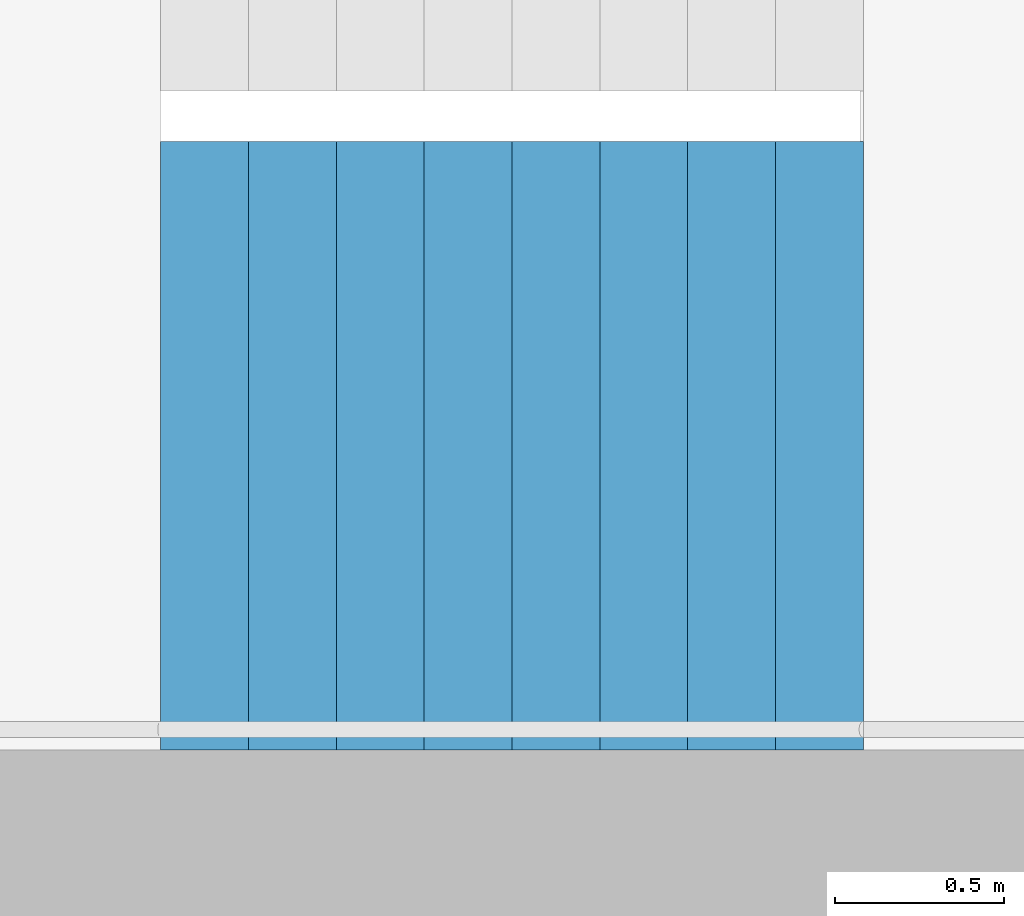
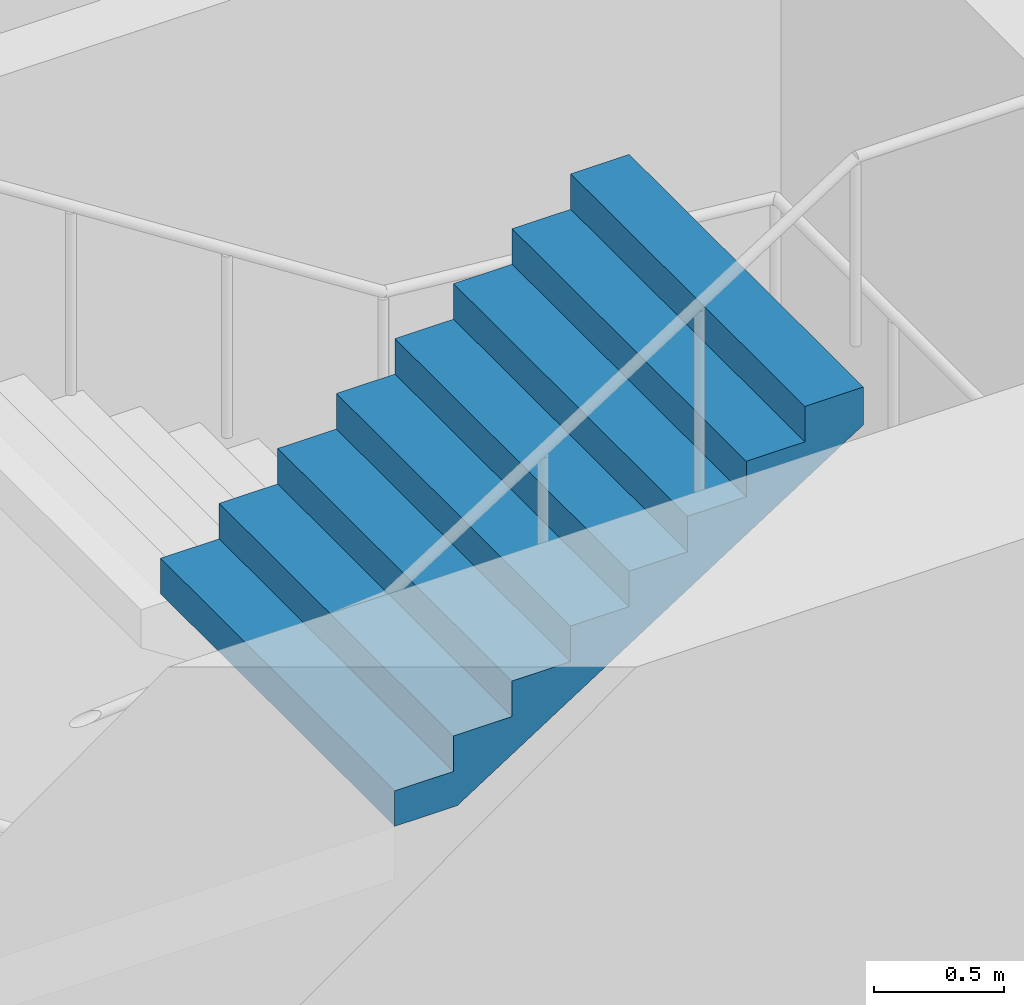
# One storey, part 51 of 100: 1 stair flight, 1 element without a shape of its own.
"""IFC4 building model written with IfcOpenShell, lengths in metres."""

from ifc_helpers import new_model, si_unit, direction, frame, origin, place, context, subcontext, project, spatial, triangles, material, type_object, element, aggregate, save


model = new_model("IFC4")

# Units and contexts
model_context = context("Model", 3, precision=1e-05, world=origin(), true_north=direction((0.0, 1.0)))
body_context = subcontext(model_context, "Body", "Model", "MODEL_VIEW")
ifc_project = project(units=[si_unit("LENGTHUNIT", "METRE"), si_unit("AREAUNIT", "SQUARE_METRE"), si_unit("VOLUMEUNIT", "CUBIC_METRE"), si_unit("PLANEANGLEUNIT", "RADIAN"), si_unit("MASSUNIT", "GRAM", prefix="KILO")], contexts=[model_context])

# Site, building, storey
site_placement = place(None, origin())
site = spatial("IfcSite", under=ifc_project, at=site_placement, CompositionType="ELEMENT")
building_placement = place(site_placement, origin())
building = spatial("IfcBuilding", under=site, at=building_placement, Name="Hakoniwa Tower and Hamabe Station Hall", CompositionType="ELEMENT")
storey_placement = place(building_placement, frame((0.0, 0.0, 9.0)))
storey = spatial("IfcBuildingStorey", under=building, at=storey_placement, Name="L02", CompositionType="ELEMENT", Elevation=9.0)

# Stair, stair flight
ifc_material_1 = material(Name="Concrete C40", Category="concrete")
stair_type = type_object("IfcStairType", Name="ESCAPE STAIR 1800", PredefinedType="HALF_TURN_STAIR", material=ifc_material_1)
stair_placement = place(storey_placement, origin())
stair = element("IfcStair", 1, at=stair_placement, inside=storey, type_object=stair_type, Name="Escape stair ST-2 L02", PredefinedType="HALF_TURN_STAIR")
ifc_material_2 = material(Name="Concrete C40", Category="concrete")
stair_flight_type = type_object("IfcStairFlightType", Name="STAIR FLIGHT 1800", PredefinedType="STRAIGHT", material=ifc_material_2)
stair_flight_placement = place(storey_placement, frame((-25.47998046875, -6.60009765625, 4.5), z_axis=(0.0, 0.0, 1.0), x_axis=(1.0, 0.0, 0.0)))
stair_flight = element("IfcStairFlight", 2, at=stair_flight_placement, type_object=stair_flight_type, Name="ST-2 flight 4", NumberOfRisers=9, NumberOfTreads=8, PredefinedType="STRAIGHT", RiserHeight=0.166666667, TreadLength=0.26, context=body_context, shape_type="Tessellation", body=[
    triangles([(0.0, 0.89990234375, 0.0), (0.260009765625, 0.89990234375, 0.0), (0.27783203125, 0.89990234375, 0.0), (0.52001953125, 0.89990234375, 0.1552734375), (0.780029296875, 0.89990234375, 0.322021484375), (1.0400390625, 0.89990234375, 0.488525390625), (1.300048828125, 0.89990234375, 0.6552734375), (1.56005859375, 0.89990234375, 0.822021484375), (1.820068359375, 0.89990234375, 0.988525390625), (2.080078125, 0.89990234375, 1.1552734375), (2.080078125, 0.89990234375, 1.333251953125), (1.820068359375, 0.89990234375, 1.333251953125), (1.820068359375, 0.89990234375, 1.166748046875), (1.56005859375, 0.89990234375, 1.166748046875), (1.56005859375, 0.89990234375, 1.0), (1.300048828125, 0.89990234375, 1.0), (1.300048828125, 0.89990234375, 0.833251953125), (1.0400390625, 0.89990234375, 0.833251953125), (1.0400390625, 0.89990234375, 0.666748046875), (0.780029296875, 0.89990234375, 0.666748046875), (0.780029296875, 0.89990234375, 0.5), (0.52001953125, 0.89990234375, 0.5), (0.52001953125, 0.89990234375, 0.333251953125), (0.27783203125, 0.89990234375, 0.333251953125), (0.260009765625, 0.89990234375, 0.333251953125), (0.260009765625, 0.89990234375, 0.166748046875), (0.0, 0.89990234375, 0.166748046875), (0.0, 0.06005859375, 0.0), (0.260009765625, 0.06005859375, 0.0), (0.27783203125, 0.06005859375, 0.0), (0.52001953125, 0.06005859375, 0.1552734375), (0.780029296875, 0.06005859375, 0.322021484375), (1.0400390625, 0.06005859375, 0.488525390625), (1.300048828125, 0.06005859375, 0.6552734375), (1.56005859375, 0.06005859375, 0.822021484375), (1.820068359375, 0.06005859375, 0.988525390625), (2.080078125, 0.06005859375, 1.1552734375), (2.080078125, 0.06005859375, 1.333251953125), (1.820068359375, 0.06005859375, 1.333251953125), (1.820068359375, 0.06005859375, 1.166748046875), (1.56005859375, 0.06005859375, 1.166748046875), (1.56005859375, 0.06005859375, 1.0), (1.300048828125, 0.06005859375, 1.0), (1.300048828125, 0.06005859375, 0.833251953125), (1.0400390625, 0.06005859375, 0.833251953125), (1.0400390625, 0.06005859375, 0.666748046875), (0.780029296875, 0.06005859375, 0.666748046875), (0.780029296875, 0.06005859375, 0.5), (0.52001953125, 0.06005859375, 0.5), (0.52001953125, 0.06005859375, 0.333251953125), (0.27783203125, 0.06005859375, 0.333251953125), (0.260009765625, 0.06005859375, 0.333251953125), (0.260009765625, 0.06005859375, 0.166748046875), (0.0, 0.06005859375, 0.166748046875), (0.0, 0.04296875, 0.0), (0.260009765625, 0.04296875, 0.0), (0.27783203125, 0.04296875, 0.0), (0.52001953125, 0.04296875, 0.1552734375), (0.780029296875, 0.04296875, 0.322021484375), (1.0400390625, 0.04296875, 0.488525390625), (1.300048828125, 0.04296875, 0.6552734375), (1.56005859375, 0.04296875, 0.822021484375), (1.820068359375, 0.04296875, 0.988525390625), (2.080078125, 0.04296875, 1.1552734375), (2.080078125, 0.04296875, 1.333251953125), (1.820068359375, 0.04296875, 1.333251953125), (1.820068359375, 0.04296875, 1.166748046875), (1.56005859375, 0.04296875, 1.166748046875), (1.56005859375, 0.04296875, 1.0), (1.300048828125, 0.04296875, 1.0), (1.300048828125, 0.04296875, 0.833251953125), (1.0400390625, 0.04296875, 0.833251953125), (1.0400390625, 0.04296875, 0.666748046875), (0.780029296875, 0.04296875, 0.666748046875), (0.780029296875, 0.04296875, 0.5), (0.52001953125, 0.04296875, 0.5), (0.52001953125, 0.04296875, 0.333251953125), (0.27783203125, 0.04296875, 0.333251953125), (0.260009765625, 0.04296875, 0.333251953125), (0.260009765625, 0.04296875, 0.166748046875), (0.0, 0.04296875, 0.166748046875), (0.0, 0.025634765625, 0.0), (0.260009765625, 0.025634765625, 0.0), (0.27783203125, 0.025634765625, 0.0), (0.52001953125, 0.025634765625, 0.1552734375), (0.780029296875, 0.025634765625, 0.322021484375), (1.0400390625, 0.025634765625, 0.488525390625), (1.300048828125, 0.025634765625, 0.6552734375), (1.56005859375, 0.025634765625, 0.822021484375), (1.820068359375, 0.025634765625, 0.988525390625), (2.080078125, 0.025634765625, 1.1552734375), (2.080078125, 0.025634765625, 1.333251953125), (1.820068359375, 0.025634765625, 1.333251953125), (1.820068359375, 0.025634765625, 1.166748046875), (1.56005859375, 0.025634765625, 1.166748046875), (1.56005859375, 0.025634765625, 1.0), (1.300048828125, 0.025634765625, 1.0), (1.300048828125, 0.025634765625, 0.833251953125), (1.0400390625, 0.025634765625, 0.833251953125), (1.0400390625, 0.025634765625, 0.666748046875), (0.780029296875, 0.025634765625, 0.666748046875), (0.780029296875, 0.025634765625, 0.5), (0.52001953125, 0.025634765625, 0.5), (0.52001953125, 0.025634765625, 0.333251953125), (0.27783203125, 0.025634765625, 0.333251953125), (0.260009765625, 0.025634765625, 0.333251953125), (0.260009765625, 0.025634765625, 0.166748046875), (0.0, 0.025634765625, 0.166748046875), (0.0, 0.008544921875, 0.0), (0.260009765625, 0.008544921875, 0.0), (0.27783203125, 0.008544921875, 0.0), (0.52001953125, 0.008544921875, 0.1552734375), (0.780029296875, 0.008544921875, 0.322021484375), (1.0400390625, 0.008544921875, 0.488525390625), (1.300048828125, 0.008544921875, 0.6552734375), (1.56005859375, 0.008544921875, 0.822021484375), (1.820068359375, 0.008544921875, 0.988525390625), (2.080078125, 0.008544921875, 1.1552734375), (2.080078125, 0.008544921875, 1.333251953125), (1.820068359375, 0.008544921875, 1.333251953125), (1.820068359375, 0.008544921875, 1.166748046875), (1.56005859375, 0.008544921875, 1.166748046875), (1.56005859375, 0.008544921875, 1.0), (1.300048828125, 0.008544921875, 1.0), (1.300048828125, 0.008544921875, 0.833251953125), (1.0400390625, 0.008544921875, 0.833251953125), (1.0400390625, 0.008544921875, 0.666748046875), (0.780029296875, 0.008544921875, 0.666748046875), (0.780029296875, 0.008544921875, 0.5), (0.52001953125, 0.008544921875, 0.5), (0.52001953125, 0.008544921875, 0.333251953125), (0.27783203125, 0.008544921875, 0.333251953125), (0.260009765625, 0.008544921875, 0.333251953125), (0.260009765625, 0.008544921875, 0.166748046875), (0.0, 0.008544921875, 0.166748046875), (0.0, -0.008544921875, 0.0), (0.260009765625, -0.008544921875, 0.0), (0.27783203125, -0.008544921875, 0.0), (0.52001953125, -0.008544921875, 0.1552734375), (0.780029296875, -0.008544921875, 0.322021484375), (1.0400390625, -0.008544921875, 0.488525390625), (1.300048828125, -0.008544921875, 0.6552734375), (1.56005859375, -0.008544921875, 0.822021484375), (1.820068359375, -0.008544921875, 0.988525390625), (2.080078125, -0.008544921875, 1.1552734375), (2.080078125, -0.008544921875, 1.333251953125), (1.820068359375, -0.008544921875, 1.333251953125), (1.820068359375, -0.008544921875, 1.166748046875), (1.56005859375, -0.008544921875, 1.166748046875), (1.56005859375, -0.008544921875, 1.0), (1.300048828125, -0.008544921875, 1.0), (1.300048828125, -0.008544921875, 0.833251953125), (1.0400390625, -0.008544921875, 0.833251953125), (1.0400390625, -0.008544921875, 0.666748046875), (0.780029296875, -0.008544921875, 0.666748046875), (0.780029296875, -0.008544921875, 0.5), (0.52001953125, -0.008544921875, 0.5), (0.52001953125, -0.008544921875, 0.333251953125), (0.27783203125, -0.008544921875, 0.333251953125), (0.260009765625, -0.008544921875, 0.333251953125), (0.260009765625, -0.008544921875, 0.166748046875), (0.0, -0.008544921875, 0.166748046875), (0.0, -0.025634765625, 0.0), (0.260009765625, -0.025634765625, 0.0), (0.27783203125, -0.025634765625, 0.0), (0.52001953125, -0.025634765625, 0.1552734375), (0.780029296875, -0.025634765625, 0.322021484375), (1.0400390625, -0.025634765625, 0.488525390625), (1.300048828125, -0.025634765625, 0.6552734375), (1.56005859375, -0.025634765625, 0.822021484375), (1.820068359375, -0.025634765625, 0.988525390625), (2.080078125, -0.025634765625, 1.1552734375), (2.080078125, -0.025634765625, 1.333251953125), (1.820068359375, -0.025634765625, 1.333251953125), (1.820068359375, -0.025634765625, 1.166748046875), (1.56005859375, -0.025634765625, 1.166748046875), (1.56005859375, -0.025634765625, 1.0), (1.300048828125, -0.025634765625, 1.0), (1.300048828125, -0.025634765625, 0.833251953125), (1.0400390625, -0.025634765625, 0.833251953125), (1.0400390625, -0.025634765625, 0.666748046875), (0.780029296875, -0.025634765625, 0.666748046875), (0.780029296875, -0.025634765625, 0.5), (0.52001953125, -0.025634765625, 0.5), (0.52001953125, -0.025634765625, 0.333251953125), (0.27783203125, -0.025634765625, 0.333251953125), (0.260009765625, -0.025634765625, 0.333251953125), (0.260009765625, -0.025634765625, 0.166748046875), (0.0, -0.025634765625, 0.166748046875), (0.0, -0.04296875, 0.0), (0.260009765625, -0.04296875, 0.0), (0.27783203125, -0.04296875, 0.0), (0.52001953125, -0.04296875, 0.1552734375), (0.780029296875, -0.04296875, 0.322021484375), (1.0400390625, -0.04296875, 0.488525390625), (1.300048828125, -0.04296875, 0.6552734375), (1.56005859375, -0.04296875, 0.822021484375), (1.820068359375, -0.04296875, 0.988525390625), (2.080078125, -0.04296875, 1.1552734375), (2.080078125, -0.04296875, 1.333251953125), (1.820068359375, -0.04296875, 1.333251953125), (1.820068359375, -0.04296875, 1.166748046875), (1.56005859375, -0.04296875, 1.166748046875), (1.56005859375, -0.04296875, 1.0), (1.300048828125, -0.04296875, 1.0), (1.300048828125, -0.04296875, 0.833251953125), (1.0400390625, -0.04296875, 0.833251953125), (1.0400390625, -0.04296875, 0.666748046875), (0.780029296875, -0.04296875, 0.666748046875), (0.780029296875, -0.04296875, 0.5), (0.52001953125, -0.04296875, 0.5), (0.52001953125, -0.04296875, 0.333251953125), (0.27783203125, -0.04296875, 0.333251953125), (0.260009765625, -0.04296875, 0.333251953125), (0.260009765625, -0.04296875, 0.166748046875), (0.0, -0.04296875, 0.166748046875), (0.0, -0.06005859375, 0.0), (0.260009765625, -0.06005859375, 0.0), (0.27783203125, -0.06005859375, 0.0), (0.52001953125, -0.06005859375, 0.1552734375), (0.780029296875, -0.06005859375, 0.322021484375), (1.0400390625, -0.06005859375, 0.488525390625), (1.300048828125, -0.06005859375, 0.6552734375), (1.56005859375, -0.06005859375, 0.822021484375), (1.820068359375, -0.06005859375, 0.988525390625), (2.080078125, -0.06005859375, 1.1552734375), (2.080078125, -0.06005859375, 1.333251953125), (1.820068359375, -0.06005859375, 1.333251953125), (1.820068359375, -0.06005859375, 1.166748046875), (1.56005859375, -0.06005859375, 1.166748046875), (1.56005859375, -0.06005859375, 1.0), (1.300048828125, -0.06005859375, 1.0), (1.300048828125, -0.06005859375, 0.833251953125), (1.0400390625, -0.06005859375, 0.833251953125), (1.0400390625, -0.06005859375, 0.666748046875), (0.780029296875, -0.06005859375, 0.666748046875), (0.780029296875, -0.06005859375, 0.5), (0.52001953125, -0.06005859375, 0.5), (0.52001953125, -0.06005859375, 0.333251953125), (0.27783203125, -0.06005859375, 0.333251953125), (0.260009765625, -0.06005859375, 0.333251953125), (0.260009765625, -0.06005859375, 0.166748046875), (0.0, -0.06005859375, 0.166748046875), (0.0, -0.89990234375, 0.0), (0.260009765625, -0.89990234375, 0.0), (0.27783203125, -0.89990234375, 0.0), (0.52001953125, -0.89990234375, 0.1552734375), (0.780029296875, -0.89990234375, 0.322021484375), (1.0400390625, -0.89990234375, 0.488525390625), (1.300048828125, -0.89990234375, 0.6552734375), (1.56005859375, -0.89990234375, 0.822021484375), (1.820068359375, -0.89990234375, 0.988525390625), (2.080078125, -0.89990234375, 1.1552734375), (2.080078125, -0.89990234375, 1.333251953125), (1.820068359375, -0.89990234375, 1.333251953125), (1.820068359375, -0.89990234375, 1.166748046875), (1.56005859375, -0.89990234375, 1.166748046875), (1.56005859375, -0.89990234375, 1.0), (1.300048828125, -0.89990234375, 1.0), (1.300048828125, -0.89990234375, 0.833251953125), (1.0400390625, -0.89990234375, 0.833251953125), (1.0400390625, -0.89990234375, 0.666748046875), (0.780029296875, -0.89990234375, 0.666748046875), (0.780029296875, -0.89990234375, 0.5), (0.52001953125, -0.89990234375, 0.5), (0.52001953125, -0.89990234375, 0.333251953125), (0.27783203125, -0.89990234375, 0.333251953125), (0.260009765625, -0.89990234375, 0.333251953125), (0.260009765625, -0.89990234375, 0.166748046875), (0.0, -0.89990234375, 0.166748046875)], [[2, 27, 26], [245, 269, 270], [2, 1, 27], [245, 270, 244], [3, 25, 24], [246, 267, 268], [3, 26, 25], [246, 268, 269], [3, 2, 26], [246, 269, 245], [4, 24, 23], [247, 266, 267], [4, 3, 24], [247, 267, 246], [5, 22, 21], [248, 264, 265], [5, 23, 22], [248, 265, 266], [5, 4, 23], [248, 266, 247], [6, 20, 19], [249, 262, 263], [6, 21, 20], [249, 263, 264], [6, 5, 21], [249, 264, 248], [7, 18, 17], [250, 260, 261], [7, 19, 18], [250, 261, 262], [7, 6, 19], [250, 262, 249], [8, 16, 15], [251, 258, 259], [8, 17, 16], [251, 259, 260], [8, 7, 17], [251, 260, 250], [9, 14, 13], [252, 256, 257], [9, 15, 14], [252, 257, 258], [9, 8, 15], [252, 258, 251], [10, 12, 11], [253, 254, 255], [10, 13, 12], [253, 255, 256], [10, 9, 13], [253, 256, 252], [1, 2, 29], [1, 29, 28], [28, 29, 56], [28, 56, 55], [55, 56, 83], [55, 83, 82], [82, 83, 110], [82, 110, 109], [109, 110, 137], [109, 137, 136], [136, 137, 164], [136, 164, 163], [163, 164, 191], [163, 191, 190], [190, 191, 218], [190, 218, 217], [217, 218, 245], [217, 245, 244], [2, 3, 30], [2, 30, 29], [29, 30, 57], [29, 57, 56], [56, 57, 84], [56, 84, 83], [83, 84, 111], [83, 111, 110], [110, 111, 138], [110, 138, 137], [137, 138, 165], [137, 165, 164], [164, 165, 192], [164, 192, 191], [191, 192, 219], [191, 219, 218], [218, 219, 246], [218, 246, 245], [3, 4, 31], [3, 31, 30], [30, 31, 58], [30, 58, 57], [57, 58, 85], [57, 85, 84], [84, 85, 112], [84, 112, 111], [111, 112, 139], [111, 139, 138], [138, 139, 166], [138, 166, 165], [165, 166, 193], [165, 193, 192], [192, 193, 220], [192, 220, 219], [219, 220, 247], [219, 247, 246], [4, 5, 32], [4, 32, 31], [31, 32, 59], [31, 59, 58], [58, 59, 86], [58, 86, 85], [85, 86, 113], [85, 113, 112], [112, 113, 140], [112, 140, 139], [139, 140, 167], [139, 167, 166], [166, 167, 194], [166, 194, 193], [193, 194, 221], [193, 221, 220], [220, 221, 248], [220, 248, 247], [5, 6, 33], [5, 33, 32], [32, 33, 60], [32, 60, 59], [59, 60, 87], [59, 87, 86], [86, 87, 114], [86, 114, 113], [113, 114, 141], [113, 141, 140], [140, 141, 168], [140, 168, 167], [167, 168, 195], [167, 195, 194], [194, 195, 222], [194, 222, 221], [221, 222, 249], [221, 249, 248], [6, 7, 34], [6, 34, 33], [33, 34, 61], [33, 61, 60], [60, 61, 88], [60, 88, 87], [87, 88, 115], [87, 115, 114], [114, 115, 142], [114, 142, 141], [141, 142, 169], [141, 169, 168], [168, 169, 196], [168, 196, 195], [195, 196, 223], [195, 223, 222], [222, 223, 250], [222, 250, 249], [7, 8, 35], [7, 35, 34], [34, 35, 62], [34, 62, 61], [61, 62, 89], [61, 89, 88], [88, 89, 116], [88, 116, 115], [115, 116, 143], [115, 143, 142], [142, 143, 170], [142, 170, 169], [169, 170, 197], [169, 197, 196], [196, 197, 224], [196, 224, 223], [223, 224, 251], [223, 251, 250], [8, 9, 36], [8, 36, 35], [35, 36, 63], [35, 63, 62], [62, 63, 90], [62, 90, 89], [89, 90, 117], [89, 117, 116], [116, 117, 144], [116, 144, 143], [143, 144, 171], [143, 171, 170], [170, 171, 198], [170, 198, 197], [197, 198, 225], [197, 225, 224], [224, 225, 252], [224, 252, 251], [9, 10, 37], [9, 37, 36], [36, 37, 64], [36, 64, 63], [63, 64, 91], [63, 91, 90], [90, 91, 118], [90, 118, 117], [117, 118, 145], [117, 145, 144], [144, 145, 172], [144, 172, 171], [171, 172, 199], [171, 199, 198], [198, 199, 226], [198, 226, 225], [225, 226, 253], [225, 253, 252], [10, 11, 38], [10, 38, 37], [37, 38, 65], [37, 65, 64], [64, 65, 92], [64, 92, 91], [91, 92, 119], [91, 119, 118], [118, 119, 146], [118, 146, 145], [145, 146, 173], [145, 173, 172], [172, 173, 200], [172, 200, 199], [199, 200, 227], [199, 227, 226], [226, 227, 254], [226, 254, 253], [11, 12, 39], [11, 39, 38], [38, 39, 66], [38, 66, 65], [65, 66, 93], [65, 93, 92], [92, 93, 120], [92, 120, 119], [119, 120, 147], [119, 147, 146], [146, 147, 174], [146, 174, 173], [173, 174, 201], [173, 201, 200], [200, 201, 228], [200, 228, 227], [227, 228, 255], [227, 255, 254], [12, 13, 40], [12, 40, 39], [39, 40, 67], [39, 67, 66], [66, 67, 94], [66, 94, 93], [93, 94, 121], [93, 121, 120], [120, 121, 148], [120, 148, 147], [147, 148, 175], [147, 175, 174], [174, 175, 202], [174, 202, 201], [201, 202, 229], [201, 229, 228], [228, 229, 256], [228, 256, 255], [13, 14, 41], [13, 41, 40], [40, 41, 68], [40, 68, 67], [67, 68, 95], [67, 95, 94], [94, 95, 122], [94, 122, 121], [121, 122, 149], [121, 149, 148], [148, 149, 176], [148, 176, 175], [175, 176, 203], [175, 203, 202], [202, 203, 230], [202, 230, 229], [229, 230, 257], [229, 257, 256], [14, 15, 42], [14, 42, 41], [41, 42, 69], [41, 69, 68], [68, 69, 96], [68, 96, 95], [95, 96, 123], [95, 123, 122], [122, 123, 150], [122, 150, 149], [149, 150, 177], [149, 177, 176], [176, 177, 204], [176, 204, 203], [203, 204, 231], [203, 231, 230], [230, 231, 258], [230, 258, 257], [15, 16, 43], [15, 43, 42], [42, 43, 70], [42, 70, 69], [69, 70, 97], [69, 97, 96], [96, 97, 124], [96, 124, 123], [123, 124, 151], [123, 151, 150], [150, 151, 178], [150, 178, 177], [177, 178, 205], [177, 205, 204], [204, 205, 232], [204, 232, 231], [231, 232, 259], [231, 259, 258], [16, 17, 44], [16, 44, 43], [43, 44, 71], [43, 71, 70], [70, 71, 98], [70, 98, 97], [97, 98, 125], [97, 125, 124], [124, 125, 152], [124, 152, 151], [151, 152, 179], [151, 179, 178], [178, 179, 206], [178, 206, 205], [205, 206, 233], [205, 233, 232], [232, 233, 260], [232, 260, 259], [17, 18, 45], [17, 45, 44], [44, 45, 72], [44, 72, 71], [71, 72, 99], [71, 99, 98], [98, 99, 126], [98, 126, 125], [125, 126, 153], [125, 153, 152], [152, 153, 180], [152, 180, 179], [179, 180, 207], [179, 207, 206], [206, 207, 234], [206, 234, 233], [233, 234, 261], [233, 261, 260], [18, 19, 46], [18, 46, 45], [45, 46, 73], [45, 73, 72], [72, 73, 100], [72, 100, 99], [99, 100, 127], [99, 127, 126], [126, 127, 154], [126, 154, 153], [153, 154, 181], [153, 181, 180], [180, 181, 208], [180, 208, 207], [207, 208, 235], [207, 235, 234], [234, 235, 262], [234, 262, 261], [19, 20, 47], [19, 47, 46], [46, 47, 74], [46, 74, 73], [73, 74, 101], [73, 101, 100], [100, 101, 128], [100, 128, 127], [127, 128, 155], [127, 155, 154], [154, 155, 182], [154, 182, 181], [181, 182, 209], [181, 209, 208], [208, 209, 236], [208, 236, 235], [235, 236, 263], [235, 263, 262], [20, 21, 48], [20, 48, 47], [47, 48, 75], [47, 75, 74], [74, 75, 102], [74, 102, 101], [101, 102, 129], [101, 129, 128], [128, 129, 156], [128, 156, 155], [155, 156, 183], [155, 183, 182], [182, 183, 210], [182, 210, 209], [209, 210, 237], [209, 237, 236], [236, 237, 264], [236, 264, 263], [21, 22, 49], [21, 49, 48], [48, 49, 76], [48, 76, 75], [75, 76, 103], [75, 103, 102], [102, 103, 130], [102, 130, 129], [129, 130, 157], [129, 157, 156], [156, 157, 184], [156, 184, 183], [183, 184, 211], [183, 211, 210], [210, 211, 238], [210, 238, 237], [237, 238, 265], [237, 265, 264], [22, 23, 50], [22, 50, 49], [49, 50, 77], [49, 77, 76], [76, 77, 104], [76, 104, 103], [103, 104, 131], [103, 131, 130], [130, 131, 158], [130, 158, 157], [157, 158, 185], [157, 185, 184], [184, 185, 212], [184, 212, 211], [211, 212, 239], [211, 239, 238], [238, 239, 266], [238, 266, 265], [23, 24, 51], [23, 51, 50], [50, 51, 78], [50, 78, 77], [77, 78, 105], [77, 105, 104], [104, 105, 132], [104, 132, 131], [131, 132, 159], [131, 159, 158], [158, 159, 186], [158, 186, 185], [185, 186, 213], [185, 213, 212], [212, 213, 240], [212, 240, 239], [239, 240, 267], [239, 267, 266], [24, 25, 52], [24, 52, 51], [51, 52, 79], [51, 79, 78], [78, 79, 106], [78, 106, 105], [105, 106, 133], [105, 133, 132], [132, 133, 160], [132, 160, 159], [159, 160, 187], [159, 187, 186], [186, 187, 214], [186, 214, 213], [213, 214, 241], [213, 241, 240], [240, 241, 268], [240, 268, 267], [25, 26, 53], [25, 53, 52], [52, 53, 80], [52, 80, 79], [79, 80, 107], [79, 107, 106], [106, 107, 134], [106, 134, 133], [133, 134, 161], [133, 161, 160], [160, 161, 188], [160, 188, 187], [187, 188, 215], [187, 215, 214], [214, 215, 242], [214, 242, 241], [241, 242, 269], [241, 269, 268], [26, 27, 54], [26, 54, 53], [53, 54, 81], [53, 81, 80], [80, 81, 108], [80, 108, 107], [107, 108, 135], [107, 135, 134], [134, 135, 162], [134, 162, 161], [161, 162, 189], [161, 189, 188], [188, 189, 216], [188, 216, 215], [215, 216, 243], [215, 243, 242], [242, 243, 270], [242, 270, 269], [27, 1, 28], [27, 28, 54], [54, 28, 55], [54, 55, 81], [81, 55, 82], [81, 82, 108], [108, 82, 109], [108, 109, 135], [135, 109, 136], [135, 136, 162], [162, 136, 163], [162, 163, 189], [189, 163, 190], [189, 190, 216], [216, 190, 217], [216, 217, 243], [243, 217, 244], [243, 244, 270]], closed=True),
])
aggregate(stair, [stair_flight])

save(model, "model.ifc")
